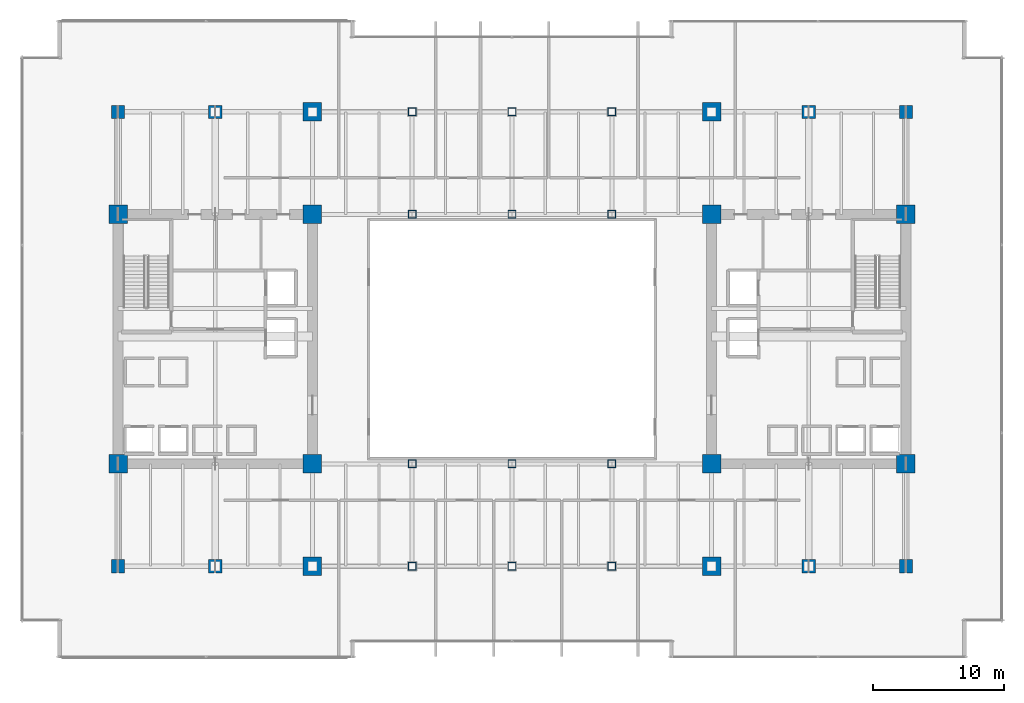
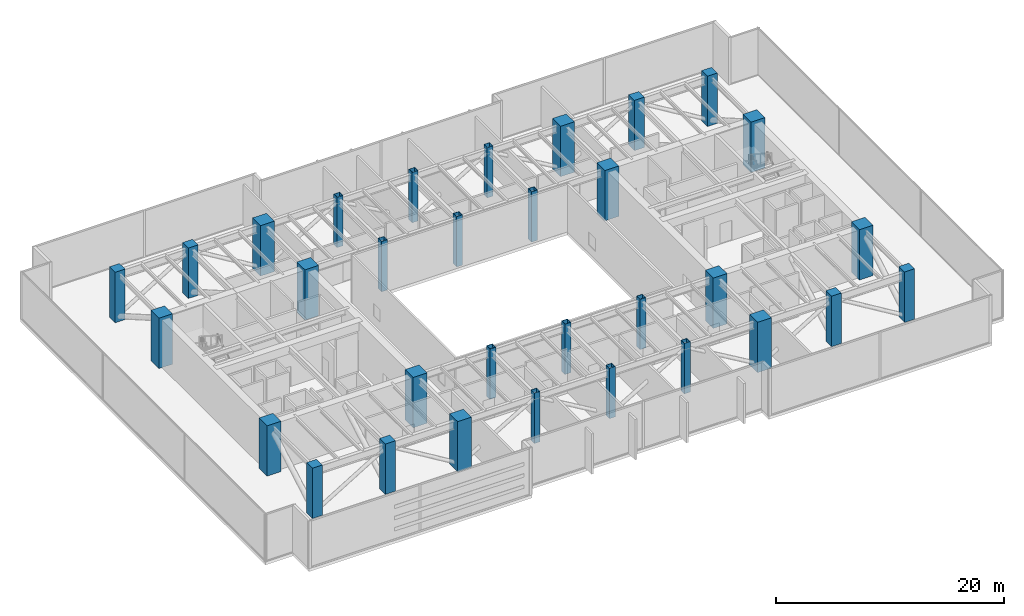
# One storey, part 1 of 38: 32 columns.
"""IFC4 building model written with IfcOpenShell, lengths in metres."""

from ifc_helpers import new_model, si_unit, direction, frame, origin, origin_2d, place, context, subcontext, project, spatial, rectangle, hollow_rectangle, extrude, source, transform, mapped, material, material_profile, profile_set, type_object, type_shapes, element, save


model = new_model("IFC4")

# Units and contexts
model_context = context("Model", 3, precision=1e-05, world=origin(), true_north=direction((0.0, 1.0)))
body_context = subcontext(model_context, "Body", "Model", "MODEL_VIEW")
ifc_project = project(units=[si_unit("LENGTHUNIT", "METRE"), si_unit("AREAUNIT", "SQUARE_METRE"), si_unit("VOLUMEUNIT", "CUBIC_METRE"), si_unit("PLANEANGLEUNIT", "RADIAN"), si_unit("MASSUNIT", "GRAM", prefix="KILO")], contexts=[model_context])

# Site, building, storey
site_placement = place(None, origin())
site = spatial("IfcSite", under=ifc_project, at=site_placement, CompositionType="ELEMENT")
building_placement = place(site_placement, origin())
building = spatial("IfcBuilding", under=site, at=building_placement, Name="Haelvirn Gate Laboratories", CompositionType="ELEMENT")
storey_placement = place(building_placement, frame((0.0, 0.0, 94.89990234375)))
storey = spatial("IfcBuildingStorey", under=building, at=storey_placement, Name="L23", CompositionType="ELEMENT", Elevation=94.89990234375)

# Columns
ifc_material_1 = material(Name="Concrete C60/75", Category="concrete")
ifc_material_profile_1 = material_profile(ifc_material_1, rectangle(XDim=1.0, YDim=1.0, at=origin_2d()), Name="RC-1000x1000")
ifc_profile_set_1 = profile_set([ifc_material_profile_1], Name="Concrete C60/75")
column_type_1 = type_object("IfcColumnType", Name="COL-RC-1000", PredefinedType="COLUMN", material=ifc_profile_set_1)
shared_shape_1 = source(origin(), body_context, "Body", "SweptSolid", [
    extrude(rectangle(XDim=1.0, YDim=1.0, at=origin_2d()), origin(), (0.0, 0.0, 1.0), 5.400146484375),
])
type_shapes(column_type_1, [shared_shape_1])
for number, where, z_axis, x_axis, name in (
    (1, (14.800048828125, 7.0, 0.0), (0.0, 0.0, 1.0), (1.0, 0.0, 0.0), "L23 Column 3B"),
    (2, (14.800048828125, 41.60009765625, 0.0), (0.0, 0.0, 1.0), (1.0, 0.0, 0.0), "L23 Column 3G"),
    (3, (60.0, 7.0, 0.0), (0.0, 0.0, 1.0), (1.0, 0.0, 0.0), "L23 Column 9B"),
    (4, (60.0, 41.60009765625, 0.0), (0.0, 0.0, 1.0), (1.0, 0.0, 0.0), "L23 Column 9G"),
    (5, (7.39990234375, 7.0, 0.0), (0.0, 0.0, 1.0), (1.0, 0.0, 0.0), "L23 Column 2B"),
    (6, (7.39990234375, 41.60009765625, 0.0), (0.0, 0.0, 1.0), (1.0, 0.0, 0.0), "L23 Column 2G"),
    (7, (67.39990234375, 7.0, 0.0), (0.0, 0.0, 1.0), (1.0, 0.0, 0.0), "L23 Column 10B"),
    (8, (67.39990234375, 41.60009765625, 0.0), (0.0, 0.0, 1.0), (1.0, 0.0, 0.0), "L23 Column 10G"),
):
    element("IfcColumn", number, at=place(storey_placement, frame(where, z_axis=z_axis, x_axis=x_axis)), inside=storey, type_object=column_type_1, Name=name, PredefinedType="COLUMN", context=body_context, shape_type="MappedRepresentation", body=[
        mapped(shared_shape_1, transform((0.0, 0.0, 0.0), scale=1.0)),
    ])
ifc_material_2 = material(Name="Concrete C70/85", Category="concrete")
ifc_material_profile_2 = material_profile(ifc_material_2, rectangle(XDim=1.39990234375, YDim=1.39990234375, at=origin_2d()), Name="SRC-1400x1400")
ifc_profile_set_2 = profile_set([ifc_material_profile_2], Name="Concrete C70/85")
column_type_2 = type_object("IfcColumnType", Name="COL-SRC-1400", PredefinedType="COLUMN", material=ifc_profile_set_2)
shared_shape_2 = source(origin(), body_context, "Body", "SweptSolid", [
    extrude(rectangle(XDim=1.39990234375, YDim=1.39990234375, at=origin_2d()), origin(), (0.0, 0.0, 1.0), 5.400146484375),
])
type_shapes(column_type_2, [shared_shape_2])
for number, where, z_axis, x_axis, name in (
    (9, (22.199951171875, 7.0, 0.0), (0.0, 0.0, 1.0), (1.0, 0.0, 0.0), "L23 Column 4B"),
    (10, (7.39990234375, 14.800048828125, 0.0), (0.0, 0.0, 1.0), (1.0, 0.0, 0.0), "L23 Column 2C"),
    (11, (22.199951171875, 14.800048828125, 0.0), (0.0, 0.0, 1.0), (1.0, 0.0, 0.0), "L23 Column 4C"),
    (12, (7.39990234375, 33.800048828125, 0.0), (0.0, 0.0, 1.0), (1.0, 0.0, 0.0), "L23 Column 2F"),
    (13, (22.199951171875, 33.800048828125, 0.0), (0.0, 0.0, 1.0), (1.0, 0.0, 0.0), "L23 Column 4F"),
    (14, (22.199951171875, 41.60009765625, 0.0), (0.0, 0.0, 1.0), (1.0, 0.0, 0.0), "L23 Column 4G"),
    (15, (52.60009765625, 7.0, 0.0), (0.0, 0.0, 1.0), (1.0, 0.0, 0.0), "L23 Column 8B"),
    (16, (52.60009765625, 14.800048828125, 0.0), (0.0, 0.0, 1.0), (1.0, 0.0, 0.0), "L23 Column 8C"),
    (17, (67.39990234375, 14.800048828125, 0.0), (0.0, 0.0, 1.0), (1.0, 0.0, 0.0), "L23 Column 10C"),
    (18, (52.60009765625, 33.800048828125, 0.0), (0.0, 0.0, 1.0), (1.0, 0.0, 0.0), "L23 Column 8F"),
    (19, (67.39990234375, 33.800048828125, 0.0), (0.0, 0.0, 1.0), (1.0, 0.0, 0.0), "L23 Column 10F"),
    (20, (52.60009765625, 41.60009765625, 0.0), (0.0, 0.0, 1.0), (1.0, 0.0, 0.0), "L23 Column 8G"),
):
    element("IfcColumn", number, at=place(storey_placement, frame(where, z_axis=z_axis, x_axis=x_axis)), inside=storey, type_object=column_type_2, Name=name, PredefinedType="COLUMN", context=body_context, shape_type="MappedRepresentation", body=[
        mapped(shared_shape_2, transform((0.0, 0.0, 0.0), scale=1.0)),
    ])
ifc_material_3 = material(Name="Steel SM420", Category="steel")
ifc_material_profile_3 = material_profile(ifc_material_3, hollow_rectangle(XDim=0.60009765625, YDim=0.60009765625, WallThickness=0.028076171875, at=origin_2d()), Name="BOX-600x600x28")
ifc_profile_set_3 = profile_set([ifc_material_profile_3], Name="Steel SM420")
column_type_3 = type_object("IfcColumnType", Name="COL-BOX-600", PredefinedType="COLUMN", material=ifc_profile_set_3)
shared_shape_3 = source(origin(), body_context, "Body", "SweptSolid", [
    extrude(hollow_rectangle(XDim=0.60009765625, YDim=0.60009765625, WallThickness=0.028076171875, at=origin_2d()), origin(), (0.0, 0.0, 1.0), 5.400146484375),
])
type_shapes(column_type_3, [shared_shape_3])
for number, where, z_axis, x_axis, name in (
    (21, (29.800048828125, 7.0, 0.0), (0.0, 0.0, 1.0), (1.0, 0.0, 0.0), "L23 Column 5B"),
    (22, (29.800048828125, 14.800048828125, 0.0), (0.0, 0.0, 1.0), (1.0, 0.0, 0.0), "L23 Column 5C"),
    (23, (29.800048828125, 33.800048828125, 0.0), (0.0, 0.0, 1.0), (1.0, 0.0, 0.0), "L23 Column 5F"),
    (24, (29.800048828125, 41.60009765625, 0.0), (0.0, 0.0, 1.0), (1.0, 0.0, 0.0), "L23 Column 5G"),
    (25, (37.39990234375, 7.0, 0.0), (0.0, 0.0, 1.0), (1.0, 0.0, 0.0), "L23 Column 6B"),
    (26, (37.39990234375, 14.800048828125, 0.0), (0.0, 0.0, 1.0), (1.0, 0.0, 0.0), "L23 Column 6C"),
    (27, (37.39990234375, 33.800048828125, 0.0), (0.0, 0.0, 1.0), (1.0, 0.0, 0.0), "L23 Column 6F"),
    (28, (37.39990234375, 41.60009765625, 0.0), (0.0, 0.0, 1.0), (1.0, 0.0, 0.0), "L23 Column 6G"),
    (29, (45.0, 7.0, 0.0), (0.0, 0.0, 1.0), (1.0, 0.0, 0.0), "L23 Column 7B"),
    (30, (45.0, 14.800048828125, 0.0), (0.0, 0.0, 1.0), (1.0, 0.0, 0.0), "L23 Column 7C"),
    (31, (45.0, 33.800048828125, 0.0), (0.0, 0.0, 1.0), (1.0, 0.0, 0.0), "L23 Column 7F"),
    (32, (45.0, 41.60009765625, 0.0), (0.0, 0.0, 1.0), (1.0, 0.0, 0.0), "L23 Column 7G"),
):
    element("IfcColumn", number, at=place(storey_placement, frame(where, z_axis=z_axis, x_axis=x_axis)), inside=storey, type_object=column_type_3, Name=name, PredefinedType="COLUMN", context=body_context, shape_type="MappedRepresentation", body=[
        mapped(shared_shape_3, transform((0.0, 0.0, 0.0), scale=1.0)),
    ])

save(model, "model.ifc")
